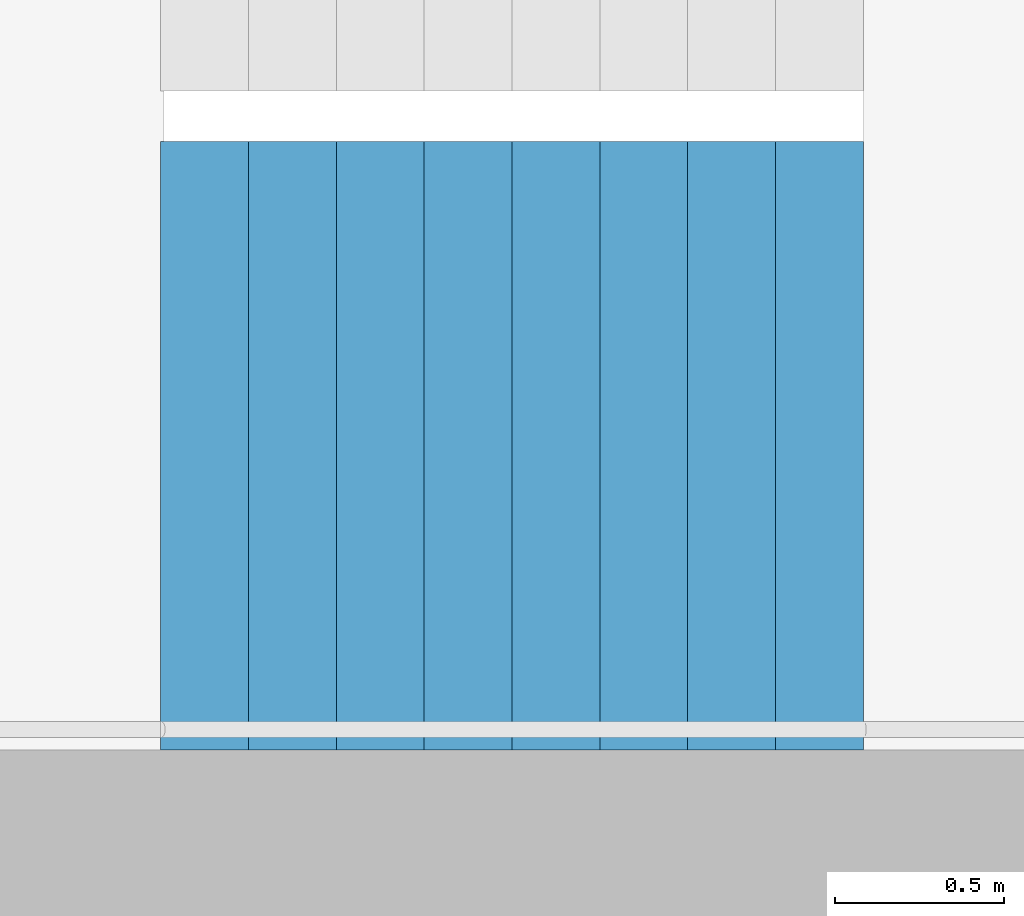
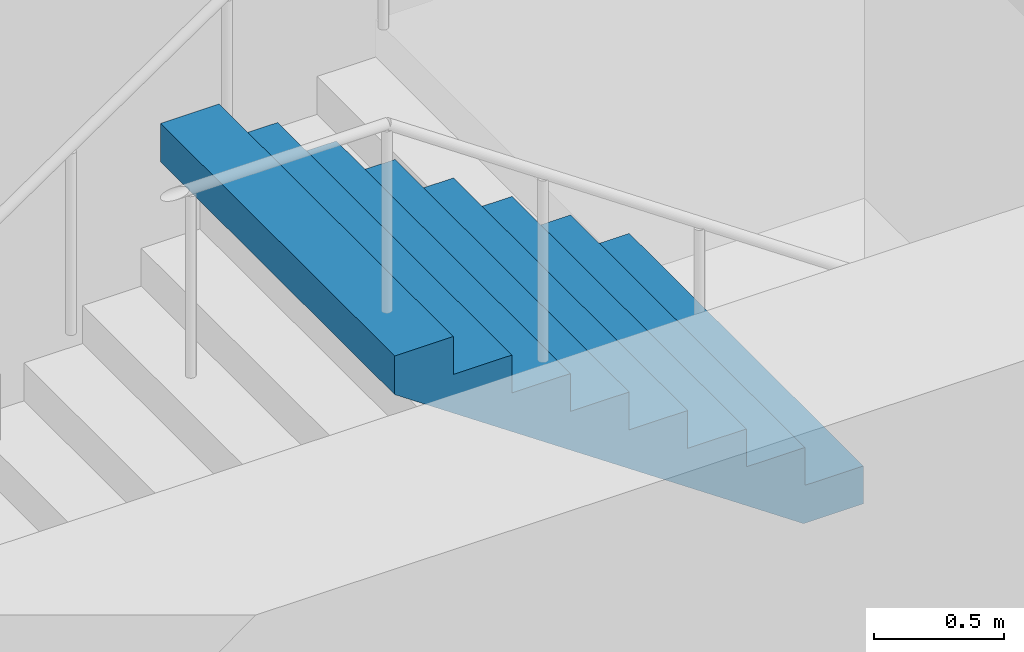
# One storey, part 21 of 25: 1 stair flight, 1 element without a shape of its own.
"""IFC4 building model written with IfcOpenShell, lengths in metres."""

from ifc_helpers import new_model, si_unit, direction, frame, origin, place, context, subcontext, project, spatial, triangles, material, type_object, element, aggregate, save


model = new_model("IFC4")

# Units and contexts
model_context = context("Model", 3, precision=1e-05, world=origin(), true_north=direction((0.0, 1.0)))
body_context = subcontext(model_context, "Body", "Model", "MODEL_VIEW")
ifc_project = project(units=[si_unit("LENGTHUNIT", "METRE"), si_unit("AREAUNIT", "SQUARE_METRE"), si_unit("VOLUMEUNIT", "CUBIC_METRE"), si_unit("PLANEANGLEUNIT", "RADIAN"), si_unit("MASSUNIT", "GRAM", prefix="KILO")], contexts=[model_context])

# Site, building, storey
site_placement = place(None, origin())
site = spatial("IfcSite", under=ifc_project, at=site_placement, CompositionType="ELEMENT")
building_placement = place(site_placement, origin())
building = spatial("IfcBuilding", under=site, at=building_placement, Name="Hakoniwa Tower and Hamabe Station Hall", CompositionType="ELEMENT")
storey_placement = place(building_placement, frame((0.0, 0.0, 202.60009765625)))
storey = spatial("IfcBuildingStorey", under=building, at=storey_placement, Name="L57", CompositionType="ELEMENT", Elevation=202.60009765625)

# Stair, stair flight
ifc_material_1 = material(Name="Concrete C40", Category="concrete")
stair_type = type_object("IfcStairType", Name="ESCAPE STAIR 1800", PredefinedType="HALF_TURN_STAIR", material=ifc_material_1)
stair_placement = place(storey_placement, origin())
stair = element("IfcStair", 1, at=stair_placement, inside=storey, type_object=stair_type, Name="Escape stair ST-4 L57", PredefinedType="HALF_TURN_STAIR")
ifc_material_2 = material(Name="Concrete C40", Category="concrete")
stair_flight_type = type_object("IfcStairFlightType", Name="STAIR FLIGHT 1800", PredefinedType="STRAIGHT", material=ifc_material_2)
stair_flight_placement = place(storey_placement, frame((25.47998046875, -6.60009765625, 1.599853515625), z_axis=(0.0, 0.0, 1.0), x_axis=(-1.0, 0.0, 0.0)))
stair_flight = element("IfcStairFlight", 2, at=stair_flight_placement, type_object=stair_flight_type, Name="ST-4 flight 2", NumberOfRisers=9, NumberOfTreads=8, PredefinedType="STRAIGHT", RiserHeight=0.177777778, TreadLength=0.26, context=body_context, shape_type="Tessellation", body=[
    triangles([(0.0, 0.89990234375, 0.0), (0.260009765625, 0.89990234375, 0.0), (0.265625, 0.89990234375, 0.0), (0.52001953125, 0.89990234375, 0.174072265625), (0.780029296875, 0.89990234375, 0.351806640625), (1.0400390625, 0.89990234375, 0.529541015625), (1.300048828125, 0.89990234375, 0.707275390625), (1.56005859375, 0.89990234375, 0.885009765625), (1.820068359375, 0.89990234375, 1.062744140625), (2.080078125, 0.89990234375, 1.24072265625), (2.080078125, 0.89990234375, 1.422119140625), (1.820068359375, 0.89990234375, 1.422119140625), (1.820068359375, 0.89990234375, 1.244384765625), (1.56005859375, 0.89990234375, 1.244384765625), (1.56005859375, 0.89990234375, 1.066650390625), (1.300048828125, 0.89990234375, 1.066650390625), (1.300048828125, 0.89990234375, 0.888916015625), (1.0400390625, 0.89990234375, 0.888916015625), (1.0400390625, 0.89990234375, 0.711181640625), (0.780029296875, 0.89990234375, 0.711181640625), (0.780029296875, 0.89990234375, 0.533447265625), (0.52001953125, 0.89990234375, 0.533447265625), (0.52001953125, 0.89990234375, 0.35546875), (0.265625, 0.89990234375, 0.35546875), (0.260009765625, 0.89990234375, 0.35546875), (0.260009765625, 0.89990234375, 0.177734375), (0.0, 0.89990234375, 0.177734375), (0.0, 0.06005859375, 0.0), (0.260009765625, 0.06005859375, 0.0), (0.265625, 0.06005859375, 0.0), (0.52001953125, 0.06005859375, 0.174072265625), (0.780029296875, 0.06005859375, 0.351806640625), (1.0400390625, 0.06005859375, 0.529541015625), (1.300048828125, 0.06005859375, 0.707275390625), (1.56005859375, 0.06005859375, 0.885009765625), (1.820068359375, 0.06005859375, 1.062744140625), (2.080078125, 0.06005859375, 1.24072265625), (2.080078125, 0.06005859375, 1.422119140625), (1.820068359375, 0.06005859375, 1.422119140625), (1.820068359375, 0.06005859375, 1.244384765625), (1.56005859375, 0.06005859375, 1.244384765625), (1.56005859375, 0.06005859375, 1.066650390625), (1.300048828125, 0.06005859375, 1.066650390625), (1.300048828125, 0.06005859375, 0.888916015625), (1.0400390625, 0.06005859375, 0.888916015625), (1.0400390625, 0.06005859375, 0.711181640625), (0.780029296875, 0.06005859375, 0.711181640625), (0.780029296875, 0.06005859375, 0.533447265625), (0.52001953125, 0.06005859375, 0.533447265625), (0.52001953125, 0.06005859375, 0.35546875), (0.265625, 0.06005859375, 0.35546875), (0.260009765625, 0.06005859375, 0.35546875), (0.260009765625, 0.06005859375, 0.177734375), (0.0, 0.06005859375, 0.177734375), (0.0, 0.04296875, 0.0), (0.260009765625, 0.04296875, 0.0), (0.265625, 0.04296875, 0.0), (0.52001953125, 0.04296875, 0.174072265625), (0.780029296875, 0.04296875, 0.351806640625), (1.0400390625, 0.04296875, 0.529541015625), (1.300048828125, 0.04296875, 0.707275390625), (1.56005859375, 0.04296875, 0.885009765625), (1.820068359375, 0.04296875, 1.062744140625), (2.080078125, 0.04296875, 1.24072265625), (2.080078125, 0.04296875, 1.422119140625), (1.820068359375, 0.04296875, 1.422119140625), (1.820068359375, 0.04296875, 1.244384765625), (1.56005859375, 0.04296875, 1.244384765625), (1.56005859375, 0.04296875, 1.066650390625), (1.300048828125, 0.04296875, 1.066650390625), (1.300048828125, 0.04296875, 0.888916015625), (1.0400390625, 0.04296875, 0.888916015625), (1.0400390625, 0.04296875, 0.711181640625), (0.780029296875, 0.04296875, 0.711181640625), (0.780029296875, 0.04296875, 0.533447265625), (0.52001953125, 0.04296875, 0.533447265625), (0.52001953125, 0.04296875, 0.35546875), (0.265625, 0.04296875, 0.35546875), (0.260009765625, 0.04296875, 0.35546875), (0.260009765625, 0.04296875, 0.177734375), (0.0, 0.04296875, 0.177734375), (0.0, 0.025634765625, 0.0), (0.260009765625, 0.025634765625, 0.0), (0.265625, 0.025634765625, 0.0), (0.52001953125, 0.025634765625, 0.174072265625), (0.780029296875, 0.025634765625, 0.351806640625), (1.0400390625, 0.025634765625, 0.529541015625), (1.300048828125, 0.025634765625, 0.707275390625), (1.56005859375, 0.025634765625, 0.885009765625), (1.820068359375, 0.025634765625, 1.062744140625), (2.080078125, 0.025634765625, 1.24072265625), (2.080078125, 0.025634765625, 1.422119140625), (1.820068359375, 0.025634765625, 1.422119140625), (1.820068359375, 0.025634765625, 1.244384765625), (1.56005859375, 0.025634765625, 1.244384765625), (1.56005859375, 0.025634765625, 1.066650390625), (1.300048828125, 0.025634765625, 1.066650390625), (1.300048828125, 0.025634765625, 0.888916015625), (1.0400390625, 0.025634765625, 0.888916015625), (1.0400390625, 0.025634765625, 0.711181640625), (0.780029296875, 0.025634765625, 0.711181640625), (0.780029296875, 0.025634765625, 0.533447265625), (0.52001953125, 0.025634765625, 0.533447265625), (0.52001953125, 0.025634765625, 0.35546875), (0.265625, 0.025634765625, 0.35546875), (0.260009765625, 0.025634765625, 0.35546875), (0.260009765625, 0.025634765625, 0.177734375), (0.0, 0.025634765625, 0.177734375), (0.0, 0.008544921875, 0.0), (0.260009765625, 0.008544921875, 0.0), (0.265625, 0.008544921875, 0.0), (0.52001953125, 0.008544921875, 0.174072265625), (0.780029296875, 0.008544921875, 0.351806640625), (1.0400390625, 0.008544921875, 0.529541015625), (1.300048828125, 0.008544921875, 0.707275390625), (1.56005859375, 0.008544921875, 0.885009765625), (1.820068359375, 0.008544921875, 1.062744140625), (2.080078125, 0.008544921875, 1.24072265625), (2.080078125, 0.008544921875, 1.422119140625), (1.820068359375, 0.008544921875, 1.422119140625), (1.820068359375, 0.008544921875, 1.244384765625), (1.56005859375, 0.008544921875, 1.244384765625), (1.56005859375, 0.008544921875, 1.066650390625), (1.300048828125, 0.008544921875, 1.066650390625), (1.300048828125, 0.008544921875, 0.888916015625), (1.0400390625, 0.008544921875, 0.888916015625), (1.0400390625, 0.008544921875, 0.711181640625), (0.780029296875, 0.008544921875, 0.711181640625), (0.780029296875, 0.008544921875, 0.533447265625), (0.52001953125, 0.008544921875, 0.533447265625), (0.52001953125, 0.008544921875, 0.35546875), (0.265625, 0.008544921875, 0.35546875), (0.260009765625, 0.008544921875, 0.35546875), (0.260009765625, 0.008544921875, 0.177734375), (0.0, 0.008544921875, 0.177734375), (0.0, -0.008544921875, 0.0), (0.260009765625, -0.008544921875, 0.0), (0.265625, -0.008544921875, 0.0), (0.52001953125, -0.008544921875, 0.174072265625), (0.780029296875, -0.008544921875, 0.351806640625), (1.0400390625, -0.008544921875, 0.529541015625), (1.300048828125, -0.008544921875, 0.707275390625), (1.56005859375, -0.008544921875, 0.885009765625), (1.820068359375, -0.008544921875, 1.062744140625), (2.080078125, -0.008544921875, 1.24072265625), (2.080078125, -0.008544921875, 1.422119140625), (1.820068359375, -0.008544921875, 1.422119140625), (1.820068359375, -0.008544921875, 1.244384765625), (1.56005859375, -0.008544921875, 1.244384765625), (1.56005859375, -0.008544921875, 1.066650390625), (1.300048828125, -0.008544921875, 1.066650390625), (1.300048828125, -0.008544921875, 0.888916015625), (1.0400390625, -0.008544921875, 0.888916015625), (1.0400390625, -0.008544921875, 0.711181640625), (0.780029296875, -0.008544921875, 0.711181640625), (0.780029296875, -0.008544921875, 0.533447265625), (0.52001953125, -0.008544921875, 0.533447265625), (0.52001953125, -0.008544921875, 0.35546875), (0.265625, -0.008544921875, 0.35546875), (0.260009765625, -0.008544921875, 0.35546875), (0.260009765625, -0.008544921875, 0.177734375), (0.0, -0.008544921875, 0.177734375), (0.0, -0.025634765625, 0.0), (0.260009765625, -0.025634765625, 0.0), (0.265625, -0.025634765625, 0.0), (0.52001953125, -0.025634765625, 0.174072265625), (0.780029296875, -0.025634765625, 0.351806640625), (1.0400390625, -0.025634765625, 0.529541015625), (1.300048828125, -0.025634765625, 0.707275390625), (1.56005859375, -0.025634765625, 0.885009765625), (1.820068359375, -0.025634765625, 1.062744140625), (2.080078125, -0.025634765625, 1.24072265625), (2.080078125, -0.025634765625, 1.422119140625), (1.820068359375, -0.025634765625, 1.422119140625), (1.820068359375, -0.025634765625, 1.244384765625), (1.56005859375, -0.025634765625, 1.244384765625), (1.56005859375, -0.025634765625, 1.066650390625), (1.300048828125, -0.025634765625, 1.066650390625), (1.300048828125, -0.025634765625, 0.888916015625), (1.0400390625, -0.025634765625, 0.888916015625), (1.0400390625, -0.025634765625, 0.711181640625), (0.780029296875, -0.025634765625, 0.711181640625), (0.780029296875, -0.025634765625, 0.533447265625), (0.52001953125, -0.025634765625, 0.533447265625), (0.52001953125, -0.025634765625, 0.35546875), (0.265625, -0.025634765625, 0.35546875), (0.260009765625, -0.025634765625, 0.35546875), (0.260009765625, -0.025634765625, 0.177734375), (0.0, -0.025634765625, 0.177734375), (0.0, -0.04296875, 0.0), (0.260009765625, -0.04296875, 0.0), (0.265625, -0.04296875, 0.0), (0.52001953125, -0.04296875, 0.174072265625), (0.780029296875, -0.04296875, 0.351806640625), (1.0400390625, -0.04296875, 0.529541015625), (1.300048828125, -0.04296875, 0.707275390625), (1.56005859375, -0.04296875, 0.885009765625), (1.820068359375, -0.04296875, 1.062744140625), (2.080078125, -0.04296875, 1.24072265625), (2.080078125, -0.04296875, 1.422119140625), (1.820068359375, -0.04296875, 1.422119140625), (1.820068359375, -0.04296875, 1.244384765625), (1.56005859375, -0.04296875, 1.244384765625), (1.56005859375, -0.04296875, 1.066650390625), (1.300048828125, -0.04296875, 1.066650390625), (1.300048828125, -0.04296875, 0.888916015625), (1.0400390625, -0.04296875, 0.888916015625), (1.0400390625, -0.04296875, 0.711181640625), (0.780029296875, -0.04296875, 0.711181640625), (0.780029296875, -0.04296875, 0.533447265625), (0.52001953125, -0.04296875, 0.533447265625), (0.52001953125, -0.04296875, 0.35546875), (0.265625, -0.04296875, 0.35546875), (0.260009765625, -0.04296875, 0.35546875), (0.260009765625, -0.04296875, 0.177734375), (0.0, -0.04296875, 0.177734375), (0.0, -0.06005859375, 0.0), (0.260009765625, -0.06005859375, 0.0), (0.265625, -0.06005859375, 0.0), (0.52001953125, -0.06005859375, 0.174072265625), (0.780029296875, -0.06005859375, 0.351806640625), (1.0400390625, -0.06005859375, 0.529541015625), (1.300048828125, -0.06005859375, 0.707275390625), (1.56005859375, -0.06005859375, 0.885009765625), (1.820068359375, -0.06005859375, 1.062744140625), (2.080078125, -0.06005859375, 1.24072265625), (2.080078125, -0.06005859375, 1.422119140625), (1.820068359375, -0.06005859375, 1.422119140625), (1.820068359375, -0.06005859375, 1.244384765625), (1.56005859375, -0.06005859375, 1.244384765625), (1.56005859375, -0.06005859375, 1.066650390625), (1.300048828125, -0.06005859375, 1.066650390625), (1.300048828125, -0.06005859375, 0.888916015625), (1.0400390625, -0.06005859375, 0.888916015625), (1.0400390625, -0.06005859375, 0.711181640625), (0.780029296875, -0.06005859375, 0.711181640625), (0.780029296875, -0.06005859375, 0.533447265625), (0.52001953125, -0.06005859375, 0.533447265625), (0.52001953125, -0.06005859375, 0.35546875), (0.265625, -0.06005859375, 0.35546875), (0.260009765625, -0.06005859375, 0.35546875), (0.260009765625, -0.06005859375, 0.177734375), (0.0, -0.06005859375, 0.177734375), (0.0, -0.89990234375, 0.0), (0.260009765625, -0.89990234375, 0.0), (0.265625, -0.89990234375, 0.0), (0.52001953125, -0.89990234375, 0.174072265625), (0.780029296875, -0.89990234375, 0.351806640625), (1.0400390625, -0.89990234375, 0.529541015625), (1.300048828125, -0.89990234375, 0.707275390625), (1.56005859375, -0.89990234375, 0.885009765625), (1.820068359375, -0.89990234375, 1.062744140625), (2.080078125, -0.89990234375, 1.24072265625), (2.080078125, -0.89990234375, 1.422119140625), (1.820068359375, -0.89990234375, 1.422119140625), (1.820068359375, -0.89990234375, 1.244384765625), (1.56005859375, -0.89990234375, 1.244384765625), (1.56005859375, -0.89990234375, 1.066650390625), (1.300048828125, -0.89990234375, 1.066650390625), (1.300048828125, -0.89990234375, 0.888916015625), (1.0400390625, -0.89990234375, 0.888916015625), (1.0400390625, -0.89990234375, 0.711181640625), (0.780029296875, -0.89990234375, 0.711181640625), (0.780029296875, -0.89990234375, 0.533447265625), (0.52001953125, -0.89990234375, 0.533447265625), (0.52001953125, -0.89990234375, 0.35546875), (0.265625, -0.89990234375, 0.35546875), (0.260009765625, -0.89990234375, 0.35546875), (0.260009765625, -0.89990234375, 0.177734375), (0.0, -0.89990234375, 0.177734375)], [[2, 27, 26], [245, 269, 270], [2, 1, 27], [245, 270, 244], [3, 25, 24], [246, 267, 268], [3, 26, 25], [246, 268, 269], [3, 2, 26], [246, 269, 245], [4, 24, 23], [247, 266, 267], [4, 3, 24], [247, 267, 246], [5, 22, 21], [248, 264, 265], [5, 23, 22], [248, 265, 266], [5, 4, 23], [248, 266, 247], [6, 20, 19], [249, 262, 263], [6, 21, 20], [249, 263, 264], [6, 5, 21], [249, 264, 248], [7, 18, 17], [250, 260, 261], [7, 19, 18], [250, 261, 262], [7, 6, 19], [250, 262, 249], [8, 16, 15], [251, 258, 259], [8, 17, 16], [251, 259, 260], [8, 7, 17], [251, 260, 250], [9, 14, 13], [252, 256, 257], [9, 15, 14], [252, 257, 258], [9, 8, 15], [252, 258, 251], [10, 12, 11], [253, 254, 255], [10, 13, 12], [253, 255, 256], [10, 9, 13], [253, 256, 252], [1, 2, 29], [1, 29, 28], [28, 29, 56], [28, 56, 55], [55, 56, 83], [55, 83, 82], [82, 83, 110], [82, 110, 109], [109, 110, 137], [109, 137, 136], [136, 137, 164], [136, 164, 163], [163, 164, 191], [163, 191, 190], [190, 191, 218], [190, 218, 217], [217, 218, 245], [217, 245, 244], [2, 3, 30], [2, 30, 29], [29, 30, 57], [29, 57, 56], [56, 57, 84], [56, 84, 83], [83, 84, 111], [83, 111, 110], [110, 111, 138], [110, 138, 137], [137, 138, 165], [137, 165, 164], [164, 165, 192], [164, 192, 191], [191, 192, 219], [191, 219, 218], [218, 219, 246], [218, 246, 245], [3, 4, 31], [3, 31, 30], [30, 31, 58], [30, 58, 57], [57, 58, 85], [57, 85, 84], [84, 85, 112], [84, 112, 111], [111, 112, 139], [111, 139, 138], [138, 139, 166], [138, 166, 165], [165, 166, 193], [165, 193, 192], [192, 193, 220], [192, 220, 219], [219, 220, 247], [219, 247, 246], [4, 5, 32], [4, 32, 31], [31, 32, 59], [31, 59, 58], [58, 59, 86], [58, 86, 85], [85, 86, 113], [85, 113, 112], [112, 113, 140], [112, 140, 139], [139, 140, 167], [139, 167, 166], [166, 167, 194], [166, 194, 193], [193, 194, 221], [193, 221, 220], [220, 221, 248], [220, 248, 247], [5, 6, 33], [5, 33, 32], [32, 33, 60], [32, 60, 59], [59, 60, 87], [59, 87, 86], [86, 87, 114], [86, 114, 113], [113, 114, 141], [113, 141, 140], [140, 141, 168], [140, 168, 167], [167, 168, 195], [167, 195, 194], [194, 195, 222], [194, 222, 221], [221, 222, 249], [221, 249, 248], [6, 7, 34], [6, 34, 33], [33, 34, 61], [33, 61, 60], [60, 61, 88], [60, 88, 87], [87, 88, 115], [87, 115, 114], [114, 115, 142], [114, 142, 141], [141, 142, 169], [141, 169, 168], [168, 169, 196], [168, 196, 195], [195, 196, 223], [195, 223, 222], [222, 223, 250], [222, 250, 249], [7, 8, 35], [7, 35, 34], [34, 35, 62], [34, 62, 61], [61, 62, 89], [61, 89, 88], [88, 89, 116], [88, 116, 115], [115, 116, 143], [115, 143, 142], [142, 143, 170], [142, 170, 169], [169, 170, 197], [169, 197, 196], [196, 197, 224], [196, 224, 223], [223, 224, 251], [223, 251, 250], [8, 9, 36], [8, 36, 35], [35, 36, 63], [35, 63, 62], [62, 63, 90], [62, 90, 89], [89, 90, 117], [89, 117, 116], [116, 117, 144], [116, 144, 143], [143, 144, 171], [143, 171, 170], [170, 171, 198], [170, 198, 197], [197, 198, 225], [197, 225, 224], [224, 225, 252], [224, 252, 251], [9, 10, 37], [9, 37, 36], [36, 37, 64], [36, 64, 63], [63, 64, 91], [63, 91, 90], [90, 91, 118], [90, 118, 117], [117, 118, 145], [117, 145, 144], [144, 145, 172], [144, 172, 171], [171, 172, 199], [171, 199, 198], [198, 199, 226], [198, 226, 225], [225, 226, 253], [225, 253, 252], [10, 11, 38], [10, 38, 37], [37, 38, 65], [37, 65, 64], [64, 65, 92], [64, 92, 91], [91, 92, 119], [91, 119, 118], [118, 119, 146], [118, 146, 145], [145, 146, 173], [145, 173, 172], [172, 173, 200], [172, 200, 199], [199, 200, 227], [199, 227, 226], [226, 227, 254], [226, 254, 253], [11, 12, 39], [11, 39, 38], [38, 39, 66], [38, 66, 65], [65, 66, 93], [65, 93, 92], [92, 93, 120], [92, 120, 119], [119, 120, 147], [119, 147, 146], [146, 147, 174], [146, 174, 173], [173, 174, 201], [173, 201, 200], [200, 201, 228], [200, 228, 227], [227, 228, 255], [227, 255, 254], [12, 13, 40], [12, 40, 39], [39, 40, 67], [39, 67, 66], [66, 67, 94], [66, 94, 93], [93, 94, 121], [93, 121, 120], [120, 121, 148], [120, 148, 147], [147, 148, 175], [147, 175, 174], [174, 175, 202], [174, 202, 201], [201, 202, 229], [201, 229, 228], [228, 229, 256], [228, 256, 255], [13, 14, 41], [13, 41, 40], [40, 41, 68], [40, 68, 67], [67, 68, 95], [67, 95, 94], [94, 95, 122], [94, 122, 121], [121, 122, 149], [121, 149, 148], [148, 149, 176], [148, 176, 175], [175, 176, 203], [175, 203, 202], [202, 203, 230], [202, 230, 229], [229, 230, 257], [229, 257, 256], [14, 15, 42], [14, 42, 41], [41, 42, 69], [41, 69, 68], [68, 69, 96], [68, 96, 95], [95, 96, 123], [95, 123, 122], [122, 123, 150], [122, 150, 149], [149, 150, 177], [149, 177, 176], [176, 177, 204], [176, 204, 203], [203, 204, 231], [203, 231, 230], [230, 231, 258], [230, 258, 257], [15, 16, 43], [15, 43, 42], [42, 43, 70], [42, 70, 69], [69, 70, 97], [69, 97, 96], [96, 97, 124], [96, 124, 123], [123, 124, 151], [123, 151, 150], [150, 151, 178], [150, 178, 177], [177, 178, 205], [177, 205, 204], [204, 205, 232], [204, 232, 231], [231, 232, 259], [231, 259, 258], [16, 17, 44], [16, 44, 43], [43, 44, 71], [43, 71, 70], [70, 71, 98], [70, 98, 97], [97, 98, 125], [97, 125, 124], [124, 125, 152], [124, 152, 151], [151, 152, 179], [151, 179, 178], [178, 179, 206], [178, 206, 205], [205, 206, 233], [205, 233, 232], [232, 233, 260], [232, 260, 259], [17, 18, 45], [17, 45, 44], [44, 45, 72], [44, 72, 71], [71, 72, 99], [71, 99, 98], [98, 99, 126], [98, 126, 125], [125, 126, 153], [125, 153, 152], [152, 153, 180], [152, 180, 179], [179, 180, 207], [179, 207, 206], [206, 207, 234], [206, 234, 233], [233, 234, 261], [233, 261, 260], [18, 19, 46], [18, 46, 45], [45, 46, 73], [45, 73, 72], [72, 73, 100], [72, 100, 99], [99, 100, 127], [99, 127, 126], [126, 127, 154], [126, 154, 153], [153, 154, 181], [153, 181, 180], [180, 181, 208], [180, 208, 207], [207, 208, 235], [207, 235, 234], [234, 235, 262], [234, 262, 261], [19, 20, 47], [19, 47, 46], [46, 47, 74], [46, 74, 73], [73, 74, 101], [73, 101, 100], [100, 101, 128], [100, 128, 127], [127, 128, 155], [127, 155, 154], [154, 155, 182], [154, 182, 181], [181, 182, 209], [181, 209, 208], [208, 209, 236], [208, 236, 235], [235, 236, 263], [235, 263, 262], [20, 21, 48], [20, 48, 47], [47, 48, 75], [47, 75, 74], [74, 75, 102], [74, 102, 101], [101, 102, 129], [101, 129, 128], [128, 129, 156], [128, 156, 155], [155, 156, 183], [155, 183, 182], [182, 183, 210], [182, 210, 209], [209, 210, 237], [209, 237, 236], [236, 237, 264], [236, 264, 263], [21, 22, 49], [21, 49, 48], [48, 49, 76], [48, 76, 75], [75, 76, 103], [75, 103, 102], [102, 103, 130], [102, 130, 129], [129, 130, 157], [129, 157, 156], [156, 157, 184], [156, 184, 183], [183, 184, 211], [183, 211, 210], [210, 211, 238], [210, 238, 237], [237, 238, 265], [237, 265, 264], [22, 23, 50], [22, 50, 49], [49, 50, 77], [49, 77, 76], [76, 77, 104], [76, 104, 103], [103, 104, 131], [103, 131, 130], [130, 131, 158], [130, 158, 157], [157, 158, 185], [157, 185, 184], [184, 185, 212], [184, 212, 211], [211, 212, 239], [211, 239, 238], [238, 239, 266], [238, 266, 265], [23, 24, 51], [23, 51, 50], [50, 51, 78], [50, 78, 77], [77, 78, 105], [77, 105, 104], [104, 105, 132], [104, 132, 131], [131, 132, 159], [131, 159, 158], [158, 159, 186], [158, 186, 185], [185, 186, 213], [185, 213, 212], [212, 213, 240], [212, 240, 239], [239, 240, 267], [239, 267, 266], [24, 25, 52], [24, 52, 51], [51, 52, 79], [51, 79, 78], [78, 79, 106], [78, 106, 105], [105, 106, 133], [105, 133, 132], [132, 133, 160], [132, 160, 159], [159, 160, 187], [159, 187, 186], [186, 187, 214], [186, 214, 213], [213, 214, 241], [213, 241, 240], [240, 241, 268], [240, 268, 267], [25, 26, 53], [25, 53, 52], [52, 53, 80], [52, 80, 79], [79, 80, 107], [79, 107, 106], [106, 107, 134], [106, 134, 133], [133, 134, 161], [133, 161, 160], [160, 161, 188], [160, 188, 187], [187, 188, 215], [187, 215, 214], [214, 215, 242], [214, 242, 241], [241, 242, 269], [241, 269, 268], [26, 27, 54], [26, 54, 53], [53, 54, 81], [53, 81, 80], [80, 81, 108], [80, 108, 107], [107, 108, 135], [107, 135, 134], [134, 135, 162], [134, 162, 161], [161, 162, 189], [161, 189, 188], [188, 189, 216], [188, 216, 215], [215, 216, 243], [215, 243, 242], [242, 243, 270], [242, 270, 269], [27, 1, 28], [27, 28, 54], [54, 28, 55], [54, 55, 81], [81, 55, 82], [81, 82, 108], [108, 82, 109], [108, 109, 135], [135, 109, 136], [135, 136, 162], [162, 136, 163], [162, 163, 189], [189, 163, 190], [189, 190, 216], [216, 190, 217], [216, 217, 243], [243, 217, 244], [243, 244, 270]], closed=True),
])
aggregate(stair, [stair_flight])

save(model, "model.ifc")
